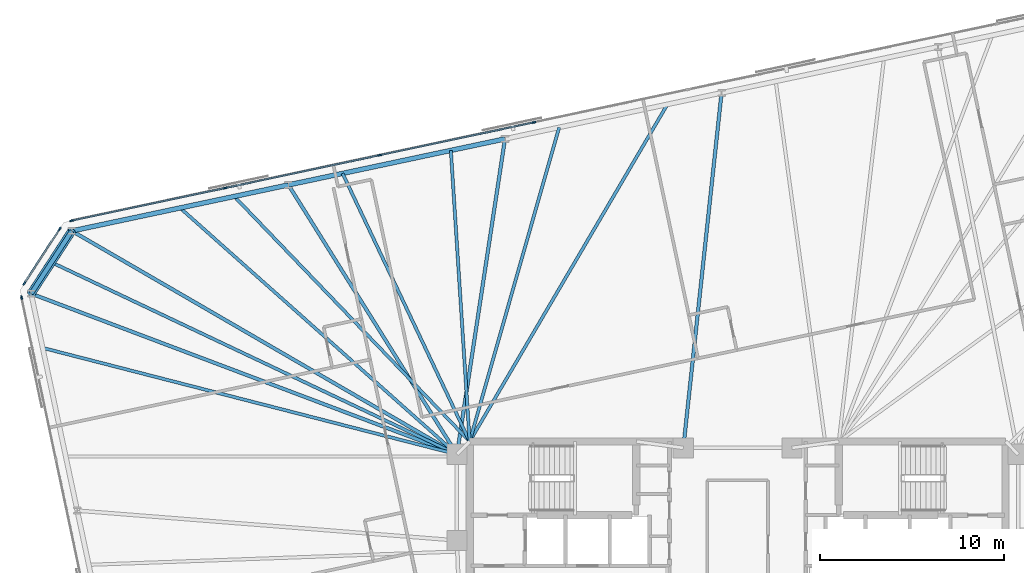
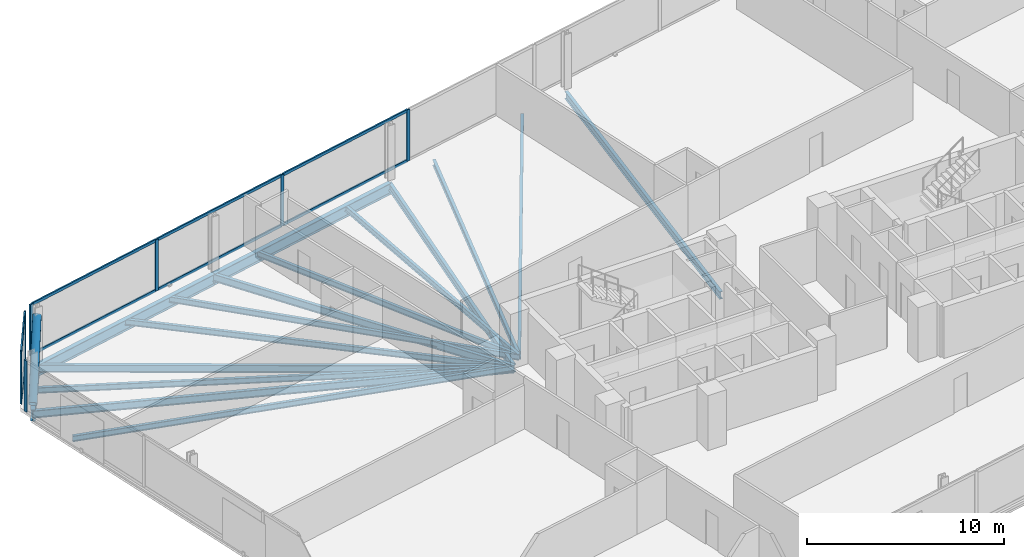
# One storey, part 9 of 19: 16 beams, 16 members, 3 elements without a shape of their own.
"""IFC4 building model written with IfcOpenShell, lengths in metres."""

import ifcopenshell
import ifcopenshell.guid

model = None  # the IFC model being written
_history = None  # IfcOwnerHistory: only IFC2X3 demands one
_inside = {}  # id of a spatial element -> (the spatial element, [elements in it])
_under = {}  # id of a project, library or spatial element -> (it, [spatial elements below it])
_declared = {}  # id of a project -> (the project, [libraries it declares])
_typed = {}  # id of a type object -> (the type object, [elements of that type])
_made_of = {}  # id of a material, layer set ... -> (it, [elements and type objects made of it])


def new_model(schema):
    """Start an empty IFC model of exactly this schema.

    Asked for "IFC4X3", IfcOpenShell would pick the latest addendum, in which some entities
    have other attributes; the version numbers below select the first issue.
    IFC2X3 requires an IfcOwnerHistory on every rooted entity: one is made here for all.
    """
    global model, _history
    if schema == "IFC4X3":
        model = ifcopenshell.file(schema_version=(4, 3, 0, 0))
    else:
        model = ifcopenshell.file(schema=schema)
    _inside.clear()
    _under.clear()
    _declared.clear()
    _typed.clear()
    _made_of.clear()
    _history = None
    if model.schema == "IFC2X3":
        org = make("IfcOrganization", Name="unknown")
        user = make(
            "IfcPersonAndOrganization",
            ThePerson=make("IfcPerson", FamilyName="unknown"),
            TheOrganization=org,
        )
        app = make(
            "IfcApplication",
            ApplicationDeveloper=org,
            Version="unknown",
            ApplicationFullName="unknown",
            ApplicationIdentifier="unknown",
        )
        _history = make(
            "IfcOwnerHistory",
            OwningUser=user,
            OwningApplication=app,
            ChangeAction="ADDED",
            CreationDate=0,
        )
    return model


def make(cls, **values):
    """One entity of the class cls with the attributes given. An attribute that is None is left unset."""
    return model.create_entity(
        cls, **{name: value for name, value in values.items() if value is not None}
    )


def rooted(cls, **values):
    """An entity with a GlobalId (a new one), such as an element, a storey or a relation."""
    return make(cls, GlobalId=ifcopenshell.guid.new(), OwnerHistory=_history, **values)


def si_unit(unit_type, name, prefix=None):
    """IfcSIUnit, for example si_unit("LENGTHUNIT", "METRE", prefix="MILLI")."""
    return make("IfcSIUnit", UnitType=unit_type, Prefix=prefix, Name=name)


def assignment(units):
    """IfcUnitAssignment: the units of a project."""
    return None if units is None else make("IfcUnitAssignment", Units=units)


def point(xyz):
    """IfcCartesianPoint."""
    return None if xyz is None else make("IfcCartesianPoint", Coordinates=xyz)


def direction(xyz):
    """IfcDirection."""
    return None if xyz is None else make("IfcDirection", DirectionRatios=xyz)


def frame(location, z_axis=None, x_axis=None):
    """IfcAxis2Placement3D, a coordinate frame: its origin and axes. An axis left out is left unset."""
    return make(
        "IfcAxis2Placement3D",
        Location=point(location),
        Axis=direction(z_axis),
        RefDirection=direction(x_axis),
    )


def frame_2d(location, x_axis=None):
    """IfcAxis2Placement2D, a coordinate frame in the plane: its origin and x axis."""
    return make(
        "IfcAxis2Placement2D", Location=point(location), RefDirection=direction(x_axis)
    )


def origin():
    """The frame at (0, 0, 0) with its axes left unset."""
    return frame((0.0, 0.0, 0.0))


def origin_2d():
    """The frame at (0, 0) in the plane with its x axis left unset."""
    return frame_2d((0.0, 0.0))


def place(relative_to, where):
    """IfcLocalPlacement: puts the frame where relative to a parent placement (None: the world)."""
    return make(
        "IfcLocalPlacement", PlacementRelTo=relative_to, RelativePlacement=where
    )


def context(
    kind, dimensions, precision=None, world=None, true_north=None, identifier=None
):
    """IfcGeometricRepresentationContext, for example the 3D "Model" context."""
    return make(
        "IfcGeometricRepresentationContext",
        ContextIdentifier=identifier,
        ContextType=kind,
        CoordinateSpaceDimension=dimensions,
        Precision=precision,
        WorldCoordinateSystem=world,
        TrueNorth=true_north,
    )


def subcontext(parent, identifier, kind, view, scale=None):
    """IfcGeometricRepresentationSubContext, for example "Body" below "Model"."""
    return make(
        "IfcGeometricRepresentationSubContext",
        ContextIdentifier=identifier,
        ContextType=kind,
        ParentContext=parent,
        TargetScale=scale,
        TargetView=view,
    )


def project(units=None, contexts=None):
    """IfcProject with its units and contexts."""
    return rooted(
        "IfcProject",
        Name="project",
        RepresentationContexts=contexts,
        UnitsInContext=assignment(units),
    )


def spatial(cls, under=None, at=None, **own):
    """A site, building, storey or space (cls), placed at a placement, below another one or the project."""
    s = rooted(cls, ObjectPlacement=at, **own)
    if under is not None:
        _under.setdefault(under.id(), (under, []))[1].append(s)
    return s


def profile(cls, at=None, kind="AREA", **sizes):
    """A parametric profile (cls). Its sizes go by their IFC names, for example OverallWidth=200.0."""
    return make(cls, ProfileType=kind, Position=at, **sizes)


def rectangle(**sizes):
    """IfcRectangleProfileDef."""
    return profile("IfcRectangleProfileDef", **sizes)


def hollow_circle(**sizes):
    """IfcCircleHollowProfileDef."""
    return profile("IfcCircleHollowProfileDef", **sizes)


def i_section(**sizes):
    """IfcIShapeProfileDef."""
    return profile("IfcIShapeProfileDef", **sizes)


def extrude(swept, where, along, depth):
    """IfcExtrudedAreaSolid: the profile swept, set in the frame where, extruded along a direction by depth."""
    return make(
        "IfcExtrudedAreaSolid",
        SweptArea=swept,
        Position=where,
        ExtrudedDirection=direction(along),
        Depth=depth,
    )


def shape(context_of_items, identifier, shape_type, items):
    """IfcShapeRepresentation: the items that make up one representation, for example the "Body"."""
    return make(
        "IfcShapeRepresentation",
        ContextOfItems=context_of_items,
        RepresentationIdentifier=identifier,
        RepresentationType=shape_type,
        Items=items,
    )


def material(Name=None, Category=None):
    """IfcMaterial."""
    return make("IfcMaterial", Name=Name, Category=Category)


def material_profile(
    of_material, cross_section, Name=None, Category=None, Priority=None
):
    """IfcMaterialProfile: a cross section and its material."""
    return make(
        "IfcMaterialProfile",
        Name=Name,
        Material=of_material,
        Profile=cross_section,
        Priority=Priority,
        Category=Category,
    )


def profile_set(profiles, Name=None, composite=None):
    """IfcMaterialProfileSet."""
    return make(
        "IfcMaterialProfileSet",
        Name=Name,
        MaterialProfiles=profiles,
        CompositeProfile=composite,
    )


def made_of(thing, what):
    """Note that an element or type object is made of a material, layer set ...; save() writes the relation."""
    if what is not None:
        _made_of.setdefault(what.id(), (what, []))[1].append(thing)
    return thing


def type_object(cls, material=None, **own):
    """A type object (cls), such as IfcWallType, which elements share."""
    return made_of(rooted(cls, **own), material)


def element(
    cls,
    number,
    at=None,
    inside=None,
    cuts=None,
    type_object=None,
    material=None,
    context=None,
    identifier="Body",
    shape_type=None,
    held_by="IfcProductDefinitionShape",
    body=None,
    shapes=None,
    **own,
):
    """One element of the class cls, such as IfcWall. Its Tag is "e" and its number.

    at: its placement. inside: the storey or other place that contains it. cuts: it is an
    opening in that element (IfcRelVoidsElement). A single representation is given by context,
    identifier, shape_type and body (its items); several are given by shapes. held_by: the class
    of the entity that holds the representations. save() writes the other relations.
    """
    e = rooted(cls, Tag="e%d" % number, ObjectPlacement=at, **own)
    if body is not None:
        shapes = [shape(context, identifier, shape_type, body)]
    if shapes is not None:
        e.Representation = make(held_by, Representations=shapes)
    if inside is not None:
        _inside.setdefault(inside.id(), (inside, []))[1].append(e)
    if cuts is not None:
        rooted(
            "IfcRelVoidsElement", RelatingBuildingElement=cuts, RelatedOpeningElement=e
        )
    if type_object is not None:
        _typed.setdefault(type_object.id(), (type_object, []))[1].append(e)
    return made_of(e, material)


def aggregate(whole, parts):
    """IfcRelAggregates: a whole, such as a stair, and the parts it consists of."""
    return rooted("IfcRelAggregates", RelatingObject=whole, RelatedObjects=parts)


def save(model, path):
    """Write the relations noted so far, then the file.

    IfcRelAggregates (storeys below a building ...), IfcRelContainedInSpatialStructure (elements
    in a storey), IfcRelDefinesByType, IfcRelAssociatesMaterial and IfcRelDeclares: one each for
    every whole, place, type object, material and project.
    """
    for whole, parts in _under.values():
        aggregate(whole, parts)
    for where, things in _inside.values():
        rooted(
            "IfcRelContainedInSpatialStructure",
            RelatedElements=things,
            RelatingStructure=where,
        )
    for kind, things in _typed.values():
        rooted("IfcRelDefinesByType", RelatedObjects=things, RelatingType=kind)
    for what, things in _made_of.values():
        rooted("IfcRelAssociatesMaterial", RelatedObjects=things, RelatingMaterial=what)
    for by, libraries in _declared.values():
        rooted("IfcRelDeclares", RelatingContext=by, RelatedDefinitions=libraries)
    model.write(path)


model = new_model("IFC4")

# Units and contexts
model_context = context("Model", 3, precision=1e-05, world=origin(), true_north=direction((0.0, 1.0)))
body_context = subcontext(model_context, "Body", "Model", "MODEL_VIEW")
ifc_project = project(units=[si_unit("LENGTHUNIT", "METRE"), si_unit("AREAUNIT", "SQUARE_METRE"), si_unit("VOLUMEUNIT", "CUBIC_METRE"), si_unit("PLANEANGLEUNIT", "RADIAN"), si_unit("MASSUNIT", "GRAM", prefix="KILO")], contexts=[model_context])

# Site, building, storey
site_placement = place(None, origin())
site = spatial("IfcSite", under=ifc_project, at=site_placement, CompositionType="ELEMENT")
building_placement = place(site_placement, origin())
building = spatial("IfcBuilding", under=site, at=building_placement, Name="Menara Jurai Vektor", CompositionType="ELEMENT")
storey_placement = place(building_placement, frame((0.0, 0.0, 151.39990234375)))
storey = spatial("IfcBuildingStorey", under=building, at=storey_placement, Name="L38", CompositionType="ELEMENT", Elevation=151.39990234375)

# Curtain wall, members
ifc_material_1 = material(Name="Anodised Pale Aluminium & Low-E Double Glazing", Category="aluminium")
curtain_wall_type = type_object("IfcCurtainWallType", Name="CW-BLK3", PredefinedType="NOTDEFINED", material=ifc_material_1)
curtain_wall_1_placement = place(storey_placement, origin())
curtain_wall_1 = element("IfcCurtainWall", 1, at=curtain_wall_1_placement, inside=storey, type_object=curtain_wall_type, Name="Unitised Curtain Wall L38 F05", PredefinedType="NOTDEFINED")
ifc_material_2 = material(Name="Anodised Pale Aluminium Mullion", Category="aluminium")
ifc_material_profile_1 = material_profile(ifc_material_2, rectangle(XDim=0.0849609375, YDim=0.205078125, at=origin_2d()), Name="ALU MUL 85x205")
ifc_profile_set_1 = profile_set([ifc_material_profile_1], Name="Anodised Pale Aluminium Mullion")
member_type_1 = type_object("IfcMemberType", Name="CW-BLK3-MUL", PredefinedType="MULLION", material=ifc_profile_set_1)
member_1_placement = place(storey_placement, frame((-11.06494140625, 22.9384765625, 0.0), z_axis=(0.0, 0.0, 1.0), x_axis=(0.207911344156, -0.978147674419, 0.0)))
member_1 = element("IfcMember", 2, at=member_1_placement, type_object=member_type_1, Name="CW-03 mullion 5", PredefinedType="MULLION", context=body_context, shape_type="SweptSolid", body=[
    extrude(rectangle(XDim=0.0849609375, YDim=0.205078125, at=origin_2d()), origin(), (0.0, 0.0, 1.0), 3.175048828125),
])
member_2_placement = place(storey_placement, frame((-19.45458984375, 21.1552734375, 0.0), z_axis=(0.0, 0.0, 1.0), x_axis=(0.207911344156, -0.978147674419, 0.0)))
member_2 = element("IfcMember", 3, at=member_2_placement, type_object=member_type_1, Name="CW-03 mullion 6", PredefinedType="MULLION", context=body_context, shape_type="SweptSolid", body=[
    extrude(rectangle(XDim=0.0849609375, YDim=0.205078125, at=origin_2d()), origin(), (0.0, 0.0, 1.0), 3.175048828125),
])
member_3_placement = place(storey_placement, frame((-27.844482421875, 19.3720703125, 0.0), z_axis=(0.0, 0.0, 1.0), x_axis=(0.207911344156, -0.978147674419, 0.0)))
member_3 = element("IfcMember", 4, at=member_3_placement, type_object=member_type_1, Name="CW-03 mullion 7", PredefinedType="MULLION", context=body_context, shape_type="SweptSolid", body=[
    extrude(rectangle(XDim=0.0849609375, YDim=0.205078125, at=origin_2d()), origin(), (0.0, 0.0, 1.0), 3.175048828125),
])
member_4_placement = place(storey_placement, frame((-36.192626953125, 17.59765625, 0.0), z_axis=(0.0, 0.0, 1.0), x_axis=(0.207911344156, -0.978147674419, 0.0)))
member_4 = element("IfcMember", 5, at=member_4_placement, type_object=member_type_1, Name="CW-03 mullion 8", PredefinedType="MULLION", context=body_context, shape_type="SweptSolid", body=[
    extrude(rectangle(XDim=0.0849609375, YDim=0.205078125, at=origin_2d()), origin(), (0.0, 0.0, 1.0), 3.175048828125),
])

curtain_wall_2_placement = place(storey_placement, origin())
curtain_wall_2 = element("IfcCurtainWall", 6, at=curtain_wall_2_placement, inside=storey, type_object=curtain_wall_type, Name="Unitised Curtain Wall L38 F06", PredefinedType="NOTDEFINED")
member_5_placement = place(storey_placement, frame((-36.8359375, 17.1552734375, 0.0), z_axis=(0.0, 0.0, 1.0), x_axis=(0.838684361415, -0.544617794346, 0.0)))
member_5 = element("IfcMember", 7, at=member_5_placement, type_object=member_type_1, Name="CW-03 mullion 1", PredefinedType="MULLION", context=body_context, shape_type="SweptSolid", body=[
    extrude(rectangle(XDim=0.0849609375, YDim=0.205078125, at=origin_2d()), origin(), (0.0, 0.0, 1.0), 3.175048828125),
])
member_6_placement = place(storey_placement, frame((-38.763427734375, 14.187255859375, 0.0), z_axis=(0.0, 0.0, 1.0), x_axis=(0.838684361415, -0.544617794346, 0.0)))
member_6 = element("IfcMember", 8, at=member_6_placement, type_object=member_type_1, Name="CW-03 mullion 2", PredefinedType="MULLION", context=body_context, shape_type="SweptSolid", body=[
    extrude(rectangle(XDim=0.0849609375, YDim=0.205078125, at=origin_2d()), origin(), (0.0, 0.0, 1.0), 3.175048828125),
])

# Curtain wall, member
curtain_wall_3_placement = place(storey_placement, origin())
curtain_wall_3 = element("IfcCurtainWall", 9, at=curtain_wall_3_placement, inside=storey, type_object=curtain_wall_type, Name="Unitised Curtain Wall L38 F07", PredefinedType="NOTDEFINED")
member_7_placement = place(storey_placement, frame((-38.90576171875, 13.419677734375, 0.0), z_axis=(0.0, 0.0, 1.0), x_axis=(0.978147883949, 0.20791035839, 0.0)))
member_7 = element("IfcMember", 10, at=member_7_placement, type_object=member_type_1, Name="CW-03 mullion 1", PredefinedType="MULLION", context=body_context, shape_type="SweptSolid", body=[
    extrude(rectangle(XDim=0.0849609375, YDim=0.205078125, at=origin_2d()), origin(), (0.0, 0.0, 1.0), 3.175048828125),
])
aggregate(curtain_wall_3, [member_7])

# Member
ifc_material_3 = material(Name="Anodised Pale Aluminium Transom", Category="aluminium")
ifc_material_profile_2 = material_profile(ifc_material_3, rectangle(XDim=0.0849609375, YDim=0.175048828125, at=origin_2d()), Name="ALU TRN 85x175")
ifc_profile_set_2 = profile_set([ifc_material_profile_2], Name="Anodised Pale Aluminium Transom")
member_type_2 = type_object("IfcMemberType", Name="CW-BLK3-TRN", PredefinedType="USERDEFINED", material=ifc_profile_set_2)
member_8_placement = place(storey_placement, frame((-11.1064453125, 22.9296875, 0.04248046875), z_axis=(-0.978147743708, -0.207911018178, 0.0), x_axis=(0.207911018178, -0.978147743708, 0.0)))
member_8 = element("IfcMember", 11, at=member_8_placement, type_object=member_type_2, Name="CW-03 transom 5.1", ObjectType="TRANSOM", PredefinedType="USERDEFINED", context=body_context, shape_type="SweptSolid", body=[
    extrude(rectangle(XDim=0.0849609375, YDim=0.175048828125, at=origin_2d()), origin(), (0.0, 0.0, 1.0), 8.4921875),
])

member_9_placement = place(storey_placement, frame((-11.1064453125, 22.9296875, 3.132568359375), z_axis=(-0.978147743708, -0.207911018178, 0.0), x_axis=(0.207911018178, -0.978147743708, 0.0)))
member_9 = element("IfcMember", 12, at=member_9_placement, type_object=member_type_2, Name="CW-03 transom 5.2", ObjectType="TRANSOM", PredefinedType="USERDEFINED", context=body_context, shape_type="SweptSolid", body=[
    extrude(rectangle(XDim=0.0849609375, YDim=0.175048828125, at=origin_2d()), origin(), (0.0, 0.0, 1.0), 8.4921875),
])

member_10_placement = place(storey_placement, frame((-19.496337890625, 21.146484375, 0.04248046875), z_axis=(-0.978146500933, -0.207916864907, 0.0), x_axis=(0.207916864907, -0.978146500933, 0.0)))
member_10 = element("IfcMember", 13, at=member_10_placement, type_object=member_type_2, Name="CW-03 transom 6.1", ObjectType="TRANSOM", PredefinedType="USERDEFINED", context=body_context, shape_type="SweptSolid", body=[
    extrude(rectangle(XDim=0.0849609375, YDim=0.175048828125, at=origin_2d()), origin(), (0.0, 0.0, 1.0), 8.491943359375),
])

member_11_placement = place(storey_placement, frame((-19.496337890625, 21.146484375, 3.132568359375), z_axis=(-0.978146500933, -0.207916864907, 0.0), x_axis=(0.207916864907, -0.978146500933, 0.0)))
member_11 = element("IfcMember", 14, at=member_11_placement, type_object=member_type_2, Name="CW-03 transom 6.2", ObjectType="TRANSOM", PredefinedType="USERDEFINED", context=body_context, shape_type="SweptSolid", body=[
    extrude(rectangle(XDim=0.0849609375, YDim=0.175048828125, at=origin_2d()), origin(), (0.0, 0.0, 1.0), 8.491943359375),
])

member_12_placement = place(storey_placement, frame((-27.885986328125, 19.363037109375, 0.04248046875), z_axis=(-0.978151580361, -0.207892967261, 0.0), x_axis=(0.207892967261, -0.978151580361, 0.0)))
member_12 = element("IfcMember", 15, at=member_12_placement, type_object=member_type_2, Name="CW-03 transom 7.1", ObjectType="TRANSOM", PredefinedType="USERDEFINED", context=body_context, shape_type="SweptSolid", body=[
    extrude(rectangle(XDim=0.0849609375, YDim=0.175048828125, at=origin_2d()), origin(), (0.0, 0.0, 1.0), 8.449462890625),
])

member_13_placement = place(storey_placement, frame((-27.885986328125, 19.363037109375, 3.132568359375), z_axis=(-0.978151580361, -0.207892967261, 0.0), x_axis=(0.207892967261, -0.978151580361, 0.0)))
member_13 = element("IfcMember", 16, at=member_13_placement, type_object=member_type_2, Name="CW-03 transom 7.2", ObjectType="TRANSOM", PredefinedType="USERDEFINED", context=body_context, shape_type="SweptSolid", body=[
    extrude(rectangle(XDim=0.0849609375, YDim=0.175048828125, at=origin_2d()), origin(), (0.0, 0.0, 1.0), 8.449462890625),
])

aggregate(curtain_wall_1, [member_1, member_2, member_3, member_4, member_8, member_9, member_10, member_11, member_12, member_13])

member_14_placement = place(storey_placement, frame((-36.859130859375, 17.11962890625, 0.04248046875), z_axis=(-0.54462804274, -0.83867770631, 0.0), x_axis=(0.83867770631, -0.54462804274, 0.0)))
member_14 = element("IfcMember", 17, at=member_14_placement, type_object=member_type_2, Name="CW-03 transom 1.1", ObjectType="TRANSOM", PredefinedType="USERDEFINED", context=body_context, shape_type="SweptSolid", body=[
    extrude(rectangle(XDim=0.0849609375, YDim=0.175048828125, at=origin_2d()), origin(), (0.0, 0.0, 1.0), 3.453857421875),
])

member_15_placement = place(storey_placement, frame((-36.859130859375, 17.11962890625, 3.132568359375), z_axis=(-0.54462804274, -0.83867770631, 0.0), x_axis=(0.83867770631, -0.54462804274, 0.0)))
member_15 = element("IfcMember", 18, at=member_15_placement, type_object=member_type_2, Name="CW-03 transom 1.2", ObjectType="TRANSOM", PredefinedType="USERDEFINED", context=body_context, shape_type="SweptSolid", body=[
    extrude(rectangle(XDim=0.0849609375, YDim=0.175048828125, at=origin_2d()), origin(), (0.0, 0.0, 1.0), 3.453857421875),
])

aggregate(curtain_wall_2, [member_5, member_6, member_14, member_15])

# Beams
ifc_material_4 = material(Name="Steel S355", Category="steel")
ifc_material_profile_3 = material_profile(ifc_material_4, i_section(OverallWidth=0.19091796875, OverallDepth=0.4599609375, WebThickness=0.010009765625, FlangeThickness=0.01611328125, FilletRadius=0.010009765625, at=origin_2d()), Name="UKB 457x191x82")
ifc_profile_set_3 = profile_set([ifc_material_profile_3], Name="Steel S355")
beam_type_1 = type_object("IfcBeamType", Name="STR-BM-457", PredefinedType="BEAM", material=ifc_profile_set_3)
beam_1_placement = place(storey_placement, frame((-0.87158203125, 24.54296875, -0.454833984375), z_axis=(-0.107107067506, -0.994247492373, 0.0), x_axis=(0.994247492373, -0.107107067506, 0.0)))
element("IfcBeam", 19, at=beam_1_placement, inside=storey, type_object=beam_type_1, Name="Radial Floor Girder L38-N3", PredefinedType="BEAM", context=body_context, shape_type="SweptSolid", body=[
    extrude(i_section(OverallWidth=0.19091796875, OverallDepth=0.4599609375, WebThickness=0.010009765625, FlangeThickness=0.01611328125, FilletRadius=0.010009765625, at=origin_2d()), origin(), (0.0, 0.0, 1.0), 19.404541015625),
])
beam_2_placement = place(storey_placement, frame((-12.639892578125, 22.04150390625, -0.454833984375), z_axis=(-0.150532344322, -0.988605084608, 0.0), x_axis=(0.988605084608, -0.150532344322, 0.0)))
element("IfcBeam", 20, at=beam_2_placement, inside=storey, type_object=beam_type_1, Name="Radial Floor Girder L38-N4", PredefinedType="BEAM", context=body_context, shape_type="SweptSolid", body=[
    extrude(i_section(OverallWidth=0.19091796875, OverallDepth=0.4599609375, WebThickness=0.010009765625, FlangeThickness=0.01611328125, FilletRadius=0.010009765625, at=origin_2d()), origin(), (0.0, 0.0, 1.0), 17.339111328125),
])
beam_3_placement = place(storey_placement, frame((-24.408203125, 19.5400390625, -0.454833984375), z_axis=(0.53033693414, -0.847786963976, 0.0), x_axis=(0.847786963976, 0.53033693414, 0.0)))
element("IfcBeam", 21, at=beam_3_placement, inside=storey, type_object=beam_type_1, Name="Radial Floor Girder L38-N5", PredefinedType="BEAM", context=body_context, shape_type="SweptSolid", body=[
    extrude(i_section(OverallWidth=0.19091796875, OverallDepth=0.4599609375, WebThickness=0.010009765625, FlangeThickness=0.01611328125, FilletRadius=0.010009765625, at=origin_2d()), origin(), (0.0, 0.0, 1.0), 17.2685546875),
])
beam_4_placement = place(storey_placement, frame((-36.17626953125, 17.038818359375, -0.454833984375), z_axis=(0.86500105453, -0.50177004261, 0.0), x_axis=(0.50177004261, 0.86500105453, 0.0)))
element("IfcBeam", 22, at=beam_4_placement, inside=storey, type_object=beam_type_1, Name="Radial Floor Girder L38-N6", PredefinedType="BEAM", context=body_context, shape_type="SweptSolid", body=[
    extrude(i_section(OverallWidth=0.19091796875, OverallDepth=0.4599609375, WebThickness=0.010009765625, FlangeThickness=0.01611328125, FilletRadius=0.010009765625, at=origin_2d()), origin(), (0.0, 0.0, 1.0), 24.192138671875),
])
beam_5_placement = place(storey_placement, frame((-38.388671875, 13.632080078125, -0.454833984375), z_axis=(0.935593658977, -0.353078610626, 0.0), x_axis=(0.353078610626, 0.935593658977, 0.0)))
element("IfcBeam", 23, at=beam_5_placement, inside=storey, type_object=beam_type_1, Name="Radial Floor Girder L38-W1", PredefinedType="BEAM", context=body_context, shape_type="SweptSolid", body=[
    extrude(i_section(OverallWidth=0.19091796875, OverallDepth=0.4599609375, WebThickness=0.010009765625, FlangeThickness=0.01611328125, FilletRadius=0.010009765625, at=origin_2d()), origin(), (0.0, 0.0, 1.0), 24.7314453125),
])

# Member
ifc_material_5 = material(Name="Steel S460", Category="steel")
ifc_material_profile_4 = material_profile(ifc_material_5, hollow_circle(Radius=0.228515625, WallThickness=0.01611328125, at=origin_2d()), Name="CHS 457x16")
ifc_profile_set_4 = profile_set([ifc_material_profile_4], Name="Steel S460")
member_type_3 = type_object("IfcMemberType", Name="STR-BR-457", PredefinedType="BRACE", material=ifc_profile_set_4)
member_16_placement = place(storey_placement, frame((-38.388671875, 13.632080078125, 0.150146484375), z_axis=(0.454887866849, 0.700402825662, 0.5500117366), x_axis=(-0.838648168484, 0.544673525608, 0.0)))
element("IfcMember", 24, at=member_16_placement, inside=storey, type_object=member_type_3, Name="Exoskeleton Corner Brace L38-3", PredefinedType="BRACE", context=body_context, shape_type="SweptSolid", body=[
    extrude(hollow_circle(Radius=0.228515625, WallThickness=0.01611328125, at=origin_2d()), origin(), (0.0, 0.0, 1.0), 4.863525390625),
])

# Beams
ifc_material_profile_5 = material_profile(ifc_material_4, i_section(OverallWidth=0.172119140625, OverallDepth=0.35498046875, WebThickness=0.007080078125, FlangeThickness=0.011962890625, FilletRadius=0.010009765625, at=origin_2d()), Name="UKB 356x171x51")
ifc_profile_set_5 = profile_set([ifc_material_profile_5], Name="Steel S355")
beam_type_2 = type_object("IfcBeamType", Name="STR-JS-356", PredefinedType="JOIST", material=ifc_profile_set_5)
beam_6_placement = place(storey_placement, frame((-3.813720703125, 23.91748046875, -0.40234375), z_axis=(-0.506019514775, -0.862522029091, 0.0), x_axis=(0.862522029091, -0.506019514775, 0.0)))
element("IfcBeam", 25, at=beam_6_placement, inside=storey, type_object=beam_type_2, Name="Radial Secondary Floor Joist L38-JS22", PredefinedType="JOIST", context=body_context, shape_type="SweptSolid", body=[
    extrude(i_section(OverallWidth=0.172119140625, OverallDepth=0.35498046875, WebThickness=0.007080078125, FlangeThickness=0.011962890625, FilletRadius=0.010009765625, at=origin_2d()), origin(), (0.0, 0.0, 1.0), 21.237060546875),
])
beam_7_placement = place(storey_placement, frame((-9.69775390625, 22.666748046875, -0.40234375), z_axis=(-0.273997863708, -0.961730300387, 0.0), x_axis=(0.961730300387, -0.273997863708, 0.0)))
element("IfcBeam", 26, at=beam_7_placement, inside=storey, type_object=beam_type_2, Name="Radial Secondary Floor Joist L38-JS23", PredefinedType="JOIST", context=body_context, shape_type="SweptSolid", body=[
    extrude(i_section(OverallWidth=0.172119140625, OverallDepth=0.35498046875, WebThickness=0.007080078125, FlangeThickness=0.011962890625, FilletRadius=0.010009765625, at=origin_2d()), origin(), (0.0, 0.0, 1.0), 17.745849609375),
])
beam_8_placement = place(storey_placement, frame((-15.581787109375, 21.416015625, -0.40234375), z_axis=(0.064466897528, -0.997919846041, 0.0), x_axis=(0.997919846041, 0.064466897528, 0.0)))
element("IfcBeam", 27, at=beam_8_placement, inside=storey, type_object=beam_type_2, Name="Radial Secondary Floor Joist L38-JS24", PredefinedType="JOIST", context=body_context, shape_type="SweptSolid", body=[
    extrude(i_section(OverallWidth=0.172119140625, OverallDepth=0.35498046875, WebThickness=0.007080078125, FlangeThickness=0.011962890625, FilletRadius=0.010009765625, at=origin_2d()), origin(), (0.0, 0.0, 1.0), 15.848876953125),
])
beam_9_placement = place(storey_placement, frame((-21.466064453125, 20.165283203125, -0.40234375), z_axis=(0.428426167333, -0.903576792057, 0.0), x_axis=(0.903576792057, 0.428426167333, 0.0)))
element("IfcBeam", 28, at=beam_9_placement, inside=storey, type_object=beam_type_2, Name="Radial Secondary Floor Joist L38-JS25", PredefinedType="JOIST", context=body_context, shape_type="SweptSolid", body=[
    extrude(i_section(OverallWidth=0.172119140625, OverallDepth=0.35498046875, WebThickness=0.007080078125, FlangeThickness=0.011962890625, FilletRadius=0.010009765625, at=origin_2d()), origin(), (0.0, 0.0, 1.0), 16.119384765625),
])
beam_10_placement = place(storey_placement, frame((-27.35009765625, 18.914794921875, -0.40234375), z_axis=(0.692755307066, -0.721172714772, 0.0), x_axis=(0.721172714772, 0.692755307066, 0.0)))
element("IfcBeam", 29, at=beam_10_placement, inside=storey, type_object=beam_type_2, Name="Radial Secondary Floor Joist L38-JS26", PredefinedType="JOIST", context=body_context, shape_type="SweptSolid", body=[
    extrude(i_section(OverallWidth=0.172119140625, OverallDepth=0.35498046875, WebThickness=0.007080078125, FlangeThickness=0.011962890625, FilletRadius=0.010009765625, at=origin_2d()), origin(), (0.0, 0.0, 1.0), 18.462646484375),
])
beam_11_placement = place(storey_placement, frame((-30.292236328125, 18.289306640625, -0.40234375), z_axis=(0.746952302948, -0.664877625673, 0.0), x_axis=(0.664877625673, 0.746952302948, 0.0)))
element("IfcBeam", 30, at=beam_11_placement, inside=storey, type_object=beam_type_2, Name="Radial Secondary Floor Joist L38-JS27", PredefinedType="JOIST", context=body_context, shape_type="SweptSolid", body=[
    extrude(i_section(OverallWidth=0.172119140625, OverallDepth=0.35498046875, WebThickness=0.007080078125, FlangeThickness=0.011962890625, FilletRadius=0.010009765625, at=origin_2d()), origin(), (0.0, 0.0, 1.0), 20.13818359375),
])
beam_12_placement = place(storey_placement, frame((-37.282470703125, 15.33544921875, -0.40234375), z_axis=(0.903751908448, -0.428056641085, 0.0), x_axis=(0.428056641085, 0.903751908448, 0.0)))
element("IfcBeam", 31, at=beam_12_placement, inside=storey, type_object=beam_type_2, Name="Radial Secondary Floor Joist L38-JS28", PredefinedType="JOIST", context=body_context, shape_type="SweptSolid", body=[
    extrude(i_section(OverallWidth=0.172119140625, OverallDepth=0.35498046875, WebThickness=0.007080078125, FlangeThickness=0.011962890625, FilletRadius=0.010009765625, at=origin_2d()), origin(), (0.0, 0.0, 1.0), 24.37890625),
])
beam_13_placement = place(storey_placement, frame((-37.76220703125, 10.68505859375, -0.40234375), z_axis=(0.968531283953, -0.248891848005, 0.0), x_axis=(0.248891848005, 0.968531283953, 0.0)))
element("IfcBeam", 32, at=beam_13_placement, inside=storey, type_object=beam_type_2, Name="Radial Secondary Floor Joist L38-JS29", PredefinedType="JOIST", context=body_context, shape_type="SweptSolid", body=[
    extrude(i_section(OverallWidth=0.172119140625, OverallDepth=0.35498046875, WebThickness=0.007080078125, FlangeThickness=0.011962890625, FilletRadius=0.010009765625, at=origin_2d()), origin(), (0.0, 0.0, 1.0), 23.24365234375),
])
ifc_material_profile_6 = material_profile(ifc_material_5, i_section(OverallWidth=0.256103515625, OverallDepth=0.693115234375, WebThickness=0.013916015625, FlangeThickness=0.02392578125, FilletRadius=0.014892578125, at=origin_2d()), Name="UKB 686x254x170")
ifc_profile_set_6 = profile_set([ifc_material_profile_6], Name="Steel S460")
beam_type_3 = type_object("IfcBeamType", Name="STR-SP-686", PredefinedType="SPANDREL", material=ifc_profile_set_6)
beam_14_placement = place(storey_placement, frame((-12.639892578125, 22.04150390625, -0.5712890625), z_axis=(-0.978147039247, -0.207914332389, 0.0), x_axis=(0.207914332389, -0.978147039247, 0.0)))
element("IfcBeam", 33, at=beam_14_placement, inside=storey, type_object=beam_type_3, Name="Exoskeleton Spandrel Beam L38-14", PredefinedType="SPANDREL", context=body_context, shape_type="SweptSolid", body=[
    extrude(i_section(OverallWidth=0.256103515625, OverallDepth=0.693115234375, WebThickness=0.013916015625, FlangeThickness=0.02392578125, FilletRadius=0.014892578125, at=origin_2d()), origin(), (0.0, 0.0, 1.0), 12.03125),
])
beam_15_placement = place(storey_placement, frame((-24.408203125, 19.5400390625, -0.5712890625), z_axis=(-0.978150288855, -0.207899043801, 0.0), x_axis=(0.207899043801, -0.978150288855, 0.0)))
element("IfcBeam", 34, at=beam_15_placement, inside=storey, type_object=beam_type_3, Name="Exoskeleton Spandrel Beam L38-15", PredefinedType="SPANDREL", context=body_context, shape_type="SweptSolid", body=[
    extrude(i_section(OverallWidth=0.256103515625, OverallDepth=0.693115234375, WebThickness=0.013916015625, FlangeThickness=0.02392578125, FilletRadius=0.014892578125, at=origin_2d()), origin(), (0.0, 0.0, 1.0), 12.031005859375),
])
beam_16_placement = place(storey_placement, frame((-36.17626953125, 17.038818359375, -0.5712890625), z_axis=(-0.544646071268, -0.838665998507, 0.0), x_axis=(0.838665998507, -0.544646071268, 0.0)))
element("IfcBeam", 35, at=beam_16_placement, inside=storey, type_object=beam_type_3, Name="Exoskeleton Spandrel Beam L38-16", PredefinedType="SPANDREL", context=body_context, shape_type="SweptSolid", body=[
    extrude(i_section(OverallWidth=0.256103515625, OverallDepth=0.693115234375, WebThickness=0.013916015625, FlangeThickness=0.02392578125, FilletRadius=0.014892578125, at=origin_2d()), origin(), (0.0, 0.0, 1.0), 4.06201171875),
])

save(model, "model.ifc")
